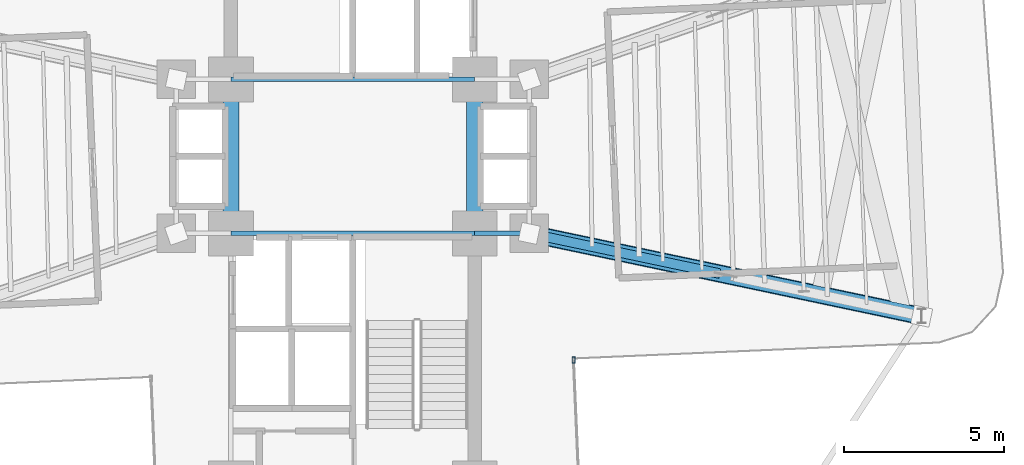
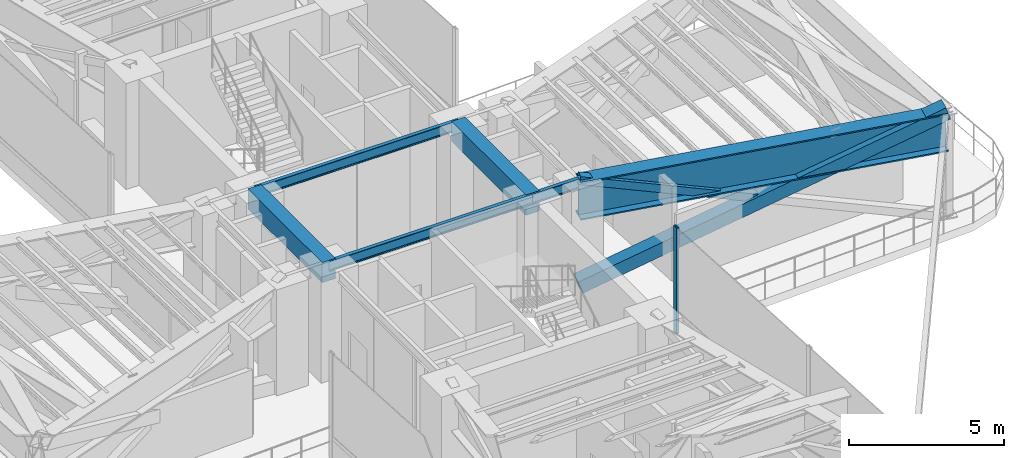
# One storey, part 6 of 18: 6 beams, 3 members, 1 element without a shape of its own.
"""IFC4 building model written with IfcOpenShell, lengths in metres."""

from ifc_helpers import new_model, si_unit, direction, frame, origin, origin_2d, place, context, subcontext, project, spatial, rectangle, hollow_rectangle, i_section, extrude, source, transform, mapped, material, material_profile, profile_set, type_object, element, aggregate, save


model = new_model("IFC4")

# Units and contexts
model_context = context("Model", 3, precision=1e-05, world=origin(), true_north=direction((0.0, 1.0)))
body_context = subcontext(model_context, "Body", "Model", "MODEL_VIEW")
ifc_project = project(units=[si_unit("LENGTHUNIT", "METRE"), si_unit("AREAUNIT", "SQUARE_METRE"), si_unit("VOLUMEUNIT", "CUBIC_METRE"), si_unit("PLANEANGLEUNIT", "RADIAN"), si_unit("MASSUNIT", "GRAM", prefix="KILO")], contexts=[model_context])

# Site, building, storey
site_placement = place(None, origin())
site = spatial("IfcSite", under=ifc_project, at=site_placement, CompositionType="ELEMENT")
building_placement = place(site_placement, origin())
building = spatial("IfcBuilding", under=site, at=building_placement, Name="Sahyath Konkavel Grand Hotel", CompositionType="ELEMENT")
storey_placement = place(building_placement, frame((0.0, 0.0, 138.25)))
storey = spatial("IfcBuildingStorey", under=building, at=storey_placement, Name="L38", CompositionType="ELEMENT", Elevation=138.25)

# Beams
ifc_material_1 = material(Name="Steel E350", Category="steel")
ifc_material_profile_1 = material_profile(ifc_material_1, i_section(OverallWidth=0.139892578125, OverallDepth=0.39990234375, WebThickness=0.0087890625, FlangeThickness=0.01611328125, FilletRadius=0.013916015625, at=origin_2d()), Name="ISMB 400")
ifc_profile_set_1 = profile_set([ifc_material_profile_1], Name="Steel E350")
beam_type_1 = type_object("IfcBeamType", Name="BM-ISMB400", PredefinedType="BEAM", material=ifc_profile_set_1)
shared_shape_1 = source(origin(), body_context, "Body", "SweptSolid", [
    extrude(i_section(OverallWidth=0.139892578125, OverallDepth=0.39990234375, WebThickness=0.0087890625, FlangeThickness=0.01611328125, FilletRadius=0.013916015625, at=origin_2d()), origin(), (0.0, 0.0, 1.0), 7.60009765625),
])
for number, where, z_axis, x_axis, name in (
    (1, (-3.800048828125, 2.39990234375, 3.97998046875), (1.0, 0.0, 0.0), (0.0, 1.0, 0.0), "str:bm:L38:NC-S"),
    (2, (-3.800048828125, -2.39990234375, 3.97998046875), (1.0, 0.0, 0.0), (0.0, 1.0, 0.0), "str:bm:L38:SC-N"),
):
    element("IfcBeam", number, at=place(storey_placement, frame(where, z_axis=z_axis, x_axis=x_axis)), inside=storey, type_object=beam_type_1, Name=name, PredefinedType="BEAM", context=body_context, shape_type="MappedRepresentation", body=[
        mapped(shared_shape_1, transform((0.0, 0.0, 0.0), scale=1.0)),
    ])
shared_shape_2 = source(origin(), body_context, "Body", "SweptSolid", [
    extrude(i_section(OverallWidth=0.139892578125, OverallDepth=0.39990234375, WebThickness=0.0087890625, FlangeThickness=0.01611328125, FilletRadius=0.013916015625, at=origin_2d()), origin(), (0.0, 0.0, 1.0), 1.699951171875),
])
beam_1_placement = place(storey_placement, frame((3.800048828125, -2.39990234375, 3.97998046875), z_axis=(1.0, 0.0, 0.0), x_axis=(0.0, 1.0, 0.0)))
element("IfcBeam", 3, at=beam_1_placement, inside=storey, type_object=beam_type_1, Name="str:bm:L38:HB-SE", PredefinedType="BEAM", context=body_context, shape_type="MappedRepresentation", body=[
    mapped(shared_shape_2, transform((0.0, 0.0, 0.0), scale=1.0)),
])
ifc_material_2 = material(Name="Concrete C50/60", Category="concrete")
ifc_material_profile_2 = material_profile(ifc_material_2, rectangle(XDim=0.5, YDim=0.800048828125, at=origin_2d()), Name="RC 500x800")
ifc_profile_set_2 = profile_set([ifc_material_profile_2], Name="Concrete C50/60")
beam_type_2 = type_object("IfcBeamType", Name="BM-CB500x800", PredefinedType="LINTEL", material=ifc_profile_set_2)
shared_shape_3 = source(origin(), body_context, "Body", "SweptSolid", [
    extrude(rectangle(XDim=0.5, YDim=0.800048828125, at=origin_2d()), origin(), (0.0, 0.0, 1.0), 4.7998046875),
])
for number, where, z_axis, x_axis, name in (
    (4, (-3.800048828125, -2.39990234375, 3.780029296875), (0.0, 1.0, 0.0), (-1.0, 0.0, 0.0), "L38 Split-Core Coupling Beam West"),
    (5, (3.800048828125, -2.39990234375, 3.780029296875), (0.0, 1.0, 0.0), (-1.0, 0.0, 0.0), "L38 Split-Core Coupling Beam East"),
):
    element("IfcBeam", number, at=place(storey_placement, frame(where, z_axis=z_axis, x_axis=x_axis)), inside=storey, type_object=beam_type_2, Name=name, PredefinedType="LINTEL", context=body_context, shape_type="MappedRepresentation", body=[
        mapped(shared_shape_3, transform((0.0, 0.0, 0.0), scale=1.0)),
    ])
ifc_material_3 = material(Name="Steel E450", Category="steel")
ifc_material_profile_3 = material_profile(ifc_material_3, i_section(OverallWidth=0.550048828125, OverallDepth=1.5, WebThickness=0.028076171875, FlangeThickness=0.050048828125, at=origin_2d()), Name="BPG 1500x550")
ifc_profile_set_3 = profile_set([ifc_material_profile_3], Name="Steel E450")
beam_type_3 = type_object("IfcBeamType", Name="BM-BPG1500", PredefinedType="BEAM", material=ifc_profile_set_3)
shared_shape_4 = source(origin(), body_context, "Body", "SweptSolid", [
    extrude(i_section(OverallWidth=0.550048828125, OverallDepth=1.5, WebThickness=0.028076171875, FlangeThickness=0.050048828125, at=origin_2d()), origin(), (0.0, 0.0, 1.0), 12.50341796875),
])
beam_2_placement = place(storey_placement, frame((5.5, -2.39990234375, 3.429931640625), z_axis=(0.978457911392, -0.206446398937, 0.0), x_axis=(0.206446398937, 0.978457911392, 0.0)))
element("IfcBeam", 6, at=beam_2_placement, inside=storey, type_object=beam_type_3, Name="L38 Setback Transfer Girder EA", PredefinedType="BEAM", context=body_context, shape_type="MappedRepresentation", body=[
    mapped(shared_shape_4, transform((0.0, 0.0, 0.0), scale=1.0)),
])

# Members
ifc_material_profile_4 = material_profile(ifc_material_3, hollow_rectangle(XDim=0.5, YDim=0.5, WallThickness=0.02490234375, at=origin_2d()), Name="BOX 500x500x25")
ifc_profile_set_4 = profile_set([ifc_material_profile_4], Name="Steel E450")
member_type_1 = type_object("IfcMemberType", Name="BR-BOX500", PredefinedType="BRACE", material=ifc_profile_set_4)
shared_shape_5 = source(origin(), body_context, "Body", "SweptSolid", [
    extrude(hollow_rectangle(XDim=0.5, YDim=0.5, WallThickness=0.02490234375, at=origin_2d()), origin(), (0.0, 0.0, 1.0), 13.17724609375),
])
member_1_placement = place(storey_placement, frame((5.5, -2.39990234375, 0.010009765625), z_axis=(0.928422846572, -0.195889420622, 0.315687112266), x_axis=(0.206446398937, 0.978457911392, 0.0)))
element("IfcMember", 7, at=member_1_placement, inside=storey, type_object=member_type_1, Name="L38 Core Outrigger Truss EA Continuous Diagonal 1", PredefinedType="BRACE", context=body_context, shape_type="MappedRepresentation", body=[
    mapped(shared_shape_5, transform((0.0, 0.0, 0.0), scale=1.0)),
])
ifc_material_profile_5 = material_profile(ifc_material_3, hollow_rectangle(XDim=0.300048828125, YDim=0.300048828125, WallThickness=0.01611328125, at=origin_2d()), Name="SHS 300x300x16")
ifc_profile_set_5 = profile_set([ifc_material_profile_5], Name="Steel E450")
member_type_2 = type_object("IfcMemberType", Name="BR-SHS300", PredefinedType="BRACE", material=ifc_profile_set_5)
shared_shape_6 = source(origin(), body_context, "Body", "SweptSolid", [
    extrude(hollow_rectangle(XDim=0.300048828125, YDim=0.300048828125, WallThickness=0.01611328125, at=origin_2d()), origin(), (0.0, 0.0, 1.0), 6.3486328125),
])
member_2_placement = place(storey_placement, frame((11.394287109375, -3.6435546875, 2.165771484375), z_axis=(-0.928425197012, 0.195891063811, 0.31567917998), x_axis=(-0.206447556496, -0.978457667156, 0.0)))
element("IfcMember", 8, at=member_2_placement, inside=storey, type_object=member_type_2, Name="L38 Core Outrigger Truss EA Split Upper Diagonal 2B", PredefinedType="BRACE", context=body_context, shape_type="MappedRepresentation", body=[
    mapped(shared_shape_6, transform((0.0, 0.0, 0.0), scale=1.0)),
])

# Curtain wall, member
ifc_material_4 = material(Name="Anodised Bronze Aluminium & Low-E Glazing", Category="aluminium")
curtain_wall_type = type_object("IfcCurtainWallType", Name="CW-SKYLOBBY", PredefinedType="NOTDEFINED", material=ifc_material_4)
curtain_wall_placement = place(storey_placement, origin())
curtain_wall = element("IfcCurtainWall", 9, at=curtain_wall_placement, inside=storey, type_object=curtain_wall_type, Name="L38 Unitised Curtain Wall RF31", PredefinedType="NOTDEFINED")
ifc_material_5 = material(Name="Anodised Bronze Aluminium", Category="aluminium")
ifc_material_profile_6 = material_profile(ifc_material_5, hollow_rectangle(XDim=0.10009765625, YDim=0.199951171875, WallThickness=0.008056640625, at=origin_2d()), Name="RHS 200x100x8")
ifc_profile_set_6 = profile_set([ifc_material_profile_6], Name="Anodised Bronze Aluminium")
member_type_3 = type_object("IfcMemberType", Name="CW-MUL-200", PredefinedType="MULLION", material=ifc_profile_set_6)
shared_shape_7 = source(origin(), body_context, "Body", "SweptSolid", [
    extrude(hollow_rectangle(XDim=0.10009765625, YDim=0.199951171875, WallThickness=0.008056640625, at=origin_2d()), origin(), (0.0, 0.0, 1.0), 4.179931640625),
])
member_3_placement = place(storey_placement, frame((6.88330078125, -6.345703125, 0.0), z_axis=(0.0, 0.0, 1.0), x_axis=(1.0, 0.0, 0.0)))
member_3 = element("IfcMember", 10, at=member_3_placement, type_object=member_type_3, Name="L38 Curtain Wall Mullion RF31-2", PredefinedType="MULLION", context=body_context, shape_type="MappedRepresentation", body=[
    mapped(shared_shape_7, transform((0.0, 0.0, 0.0), scale=1.0)),
])
aggregate(curtain_wall, [member_3])

save(model, "model.ifc")
